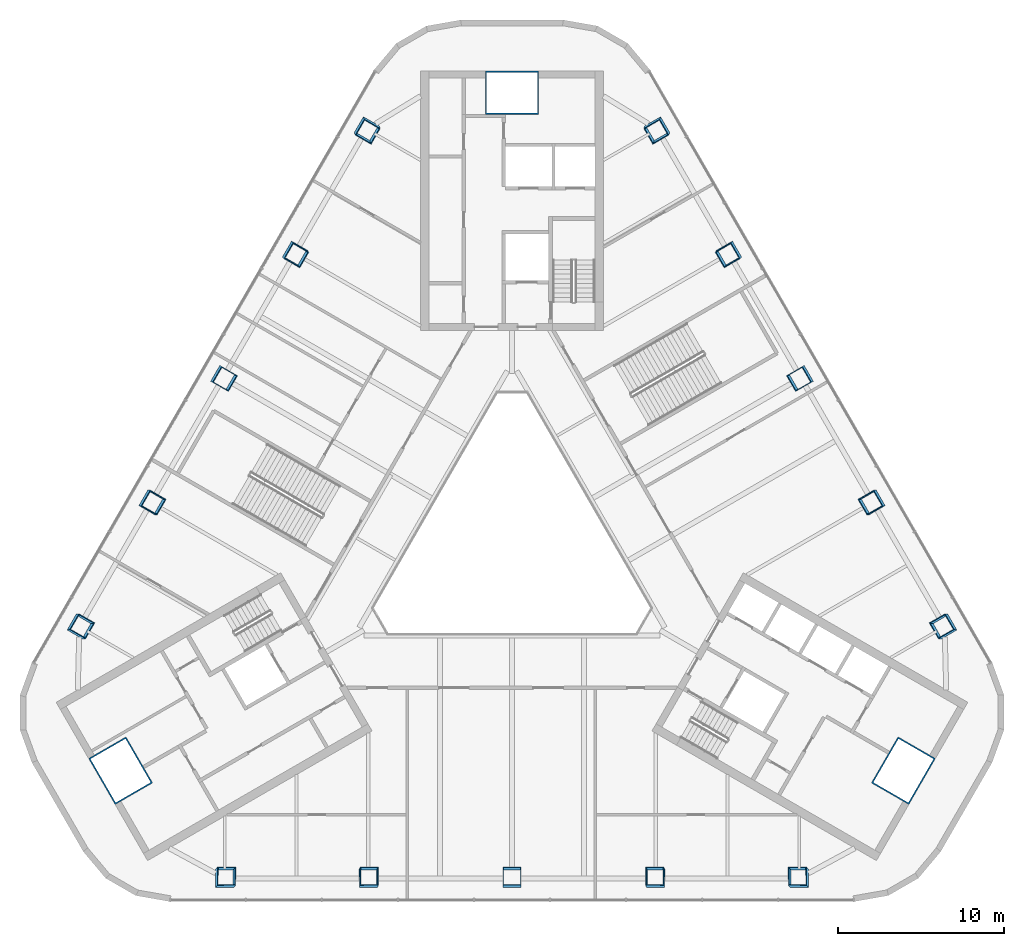
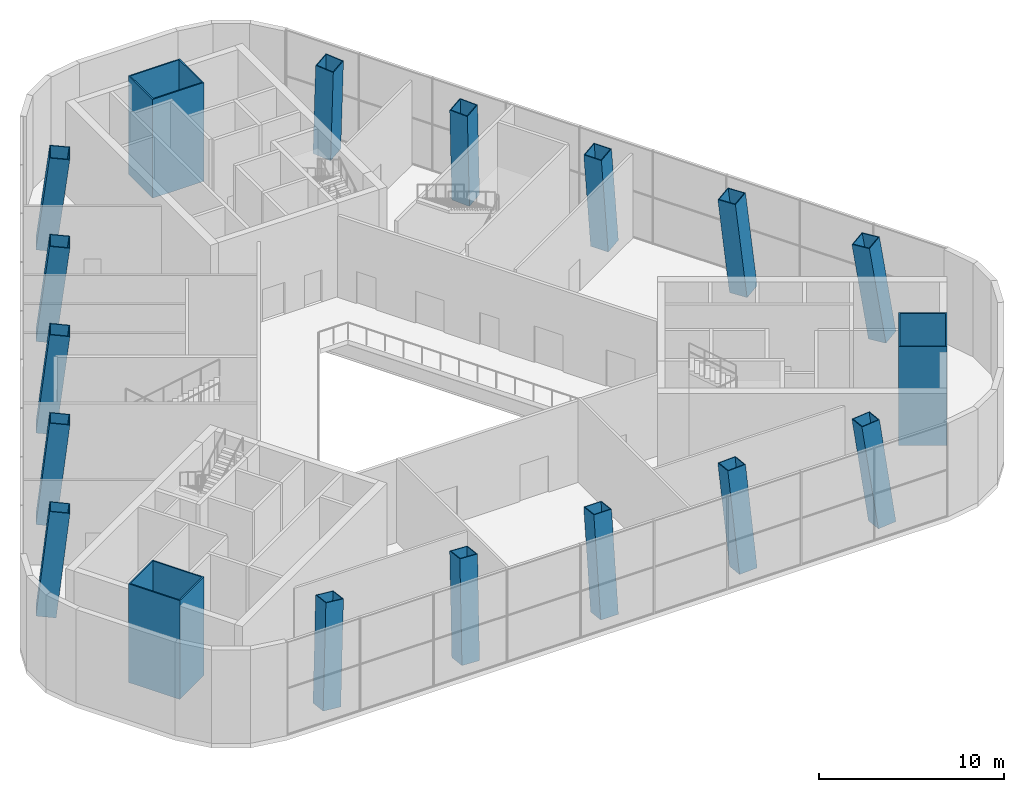
# One storey, part 1 of 17: 18 columns.
"""IFC4 building model written with IfcOpenShell, lengths in metres."""

from ifc_helpers import new_model, si_unit, direction, frame, origin, origin_2d, place, context, subcontext, project, spatial, rectangle, hollow_rectangle, extrude, boolean, halfspace, material, material_profile, profile_set, type_object, element, save


model = new_model("IFC4")

# Units and contexts
model_context = context("Model", 3, precision=1e-05, world=origin(), true_north=direction((0.0, 1.0)))
body_context = subcontext(model_context, "Body", "Model", "MODEL_VIEW")
ifc_project = project(units=[si_unit("LENGTHUNIT", "METRE"), si_unit("AREAUNIT", "SQUARE_METRE"), si_unit("VOLUMEUNIT", "CUBIC_METRE"), si_unit("PLANEANGLEUNIT", "RADIAN"), si_unit("MASSUNIT", "GRAM", prefix="KILO")], contexts=[model_context])

# Site, building, storey
site_placement = place(None, origin())
site = spatial("IfcSite", under=ifc_project, at=site_placement, CompositionType="ELEMENT")
building_placement = place(site_placement, origin())
building = spatial("IfcBuilding", under=site, at=building_placement, Name="Apuvela Tower Hotel", CompositionType="ELEMENT")
storey_placement = place(building_placement, frame((0.0, 0.0, 9.0)))
storey = spatial("IfcBuildingStorey", under=building, at=storey_placement, Name="L01", CompositionType="ELEMENT", Elevation=9.0)

# Columns
ifc_material_1 = material(Name="Steel S460", Category="steel")
ifc_material_profile_1 = material_profile(ifc_material_1, hollow_rectangle(XDim=3.199951171875, YDim=2.60009765625, WallThickness=0.080078125, at=origin_2d()), Name="BOX 3200x2600x80")
ifc_material_2 = material(Name="Concrete C80/95", Category="concrete")
ifc_material_profile_2 = material_profile(ifc_material_2, rectangle(XDim=3.0400390625, YDim=2.43994140625, at=origin_2d()), Name="Concrete C80/95 infill")
ifc_profile_set_1 = profile_set([ifc_material_profile_1, ifc_material_profile_2], Name="Steel S460")
column_type_1 = type_object("IfcColumnType", Name="STR-MC mega column BOX 3200x2600x80", PredefinedType="COLUMN", material=ifc_profile_set_1)
for number, where, z_axis, x_axis, name in (
    (1, (0.0, 27.199951171875, 0.0), (0.0, 0.0, 1.0), (1.0, 0.0, 0.0), "Mega column MC1 N"),
    (2, (-23.555908203125, -13.60009765625, 0.0), (0.0, 0.0, 1.0), (-0.5, 0.866025403784, 0.0), "Mega column MC1 SW"),
    (3, (23.555908203125, -13.60009765625, 0.0), (0.0, 0.0, 1.0), (0.5, 0.866025403784, 0.0), "Mega column MC1 SE"),
):
    element("IfcColumn", number, at=place(storey_placement, frame(where, z_axis=z_axis, x_axis=x_axis)), inside=storey, type_object=column_type_1, Name=name, PredefinedType="COLUMN", context=body_context, shape_type="SweptSolid", body=[
        extrude(hollow_rectangle(XDim=3.199951171875, YDim=2.60009765625, WallThickness=0.080078125, at=origin_2d()), origin(), (0.0, 0.0, 1.0), 6.5),
    ])
ifc_material_profile_3 = material_profile(ifc_material_1, hollow_rectangle(XDim=1.10009765625, YDim=1.10009765625, WallThickness=0.050048828125, at=origin_2d()), Name="BOX 1100x1100x50")
ifc_material_profile_4 = material_profile(ifc_material_2, rectangle(XDim=1.0, YDim=1.0, at=origin_2d()), Name="Concrete C80/95 infill")
ifc_profile_set_2 = profile_set([ifc_material_profile_3, ifc_material_profile_4], Name="Steel S460")
column_type_2 = type_object("IfcColumnType", Name="STR-PC perimeter column BOX 1100x1100x50", PredefinedType="COLUMN", material=ifc_profile_set_2)
column_1_placement = place(storey_placement, frame((-17.28759765625, -20.078369140625, 0.0), z_axis=(0.091482931519, 0.113703399857, 0.989293894705), x_axis=(-0.99579173161, 0.005008593821, 0.091508148518)))
element("IfcColumn", 4, at=column_1_placement, inside=storey, type_object=column_type_2, Name="Perimeter column C1 S1", PredefinedType="COLUMN", context=body_context, shape_type="SweptSolid", body=[
    boolean("DIFFERENCE", boolean("DIFFERENCE", extrude(hollow_rectangle(XDim=1.10009765625, YDim=1.10009765625, WallThickness=0.050048828125, at=origin_2d()), origin(), (0.0, 0.0, 1.0), 6.5703125), halfspace(frame((0.0, 0.0, 0.01904296875), z_axis=(0.0, 0.0, 1.0), x_axis=(1.0, 0.0, 0.0)), True)), halfspace(frame((0.0, 0.0, 6.55224609375), z_axis=(0.0, 0.0, 1.0), x_axis=(1.0, 0.0, 0.0)), False)),
])
column_2_placement = place(storey_placement, frame((-8.643798828125, -20.078369140625, 0.0), z_axis=(0.04588570117, 0.114061937921, 0.9924134102), x_axis=(-0.998942832746, 0.002476202234, 0.045902999109)))
element("IfcColumn", 5, at=column_2_placement, inside=storey, type_object=column_type_2, Name="Perimeter column C1 S2", PredefinedType="COLUMN", context=body_context, shape_type="SweptSolid", body=[
    boolean("DIFFERENCE", boolean("DIFFERENCE", extrude(hollow_rectangle(XDim=1.10009765625, YDim=1.10009765625, WallThickness=0.050048828125, at=origin_2d()), origin(), (0.0, 0.0, 1.0), 6.5498046875), halfspace(frame((0.0, 0.0, 0.0166015625), z_axis=(0.0, 0.0, 1.0), x_axis=(1.0, 0.0, 0.0)), True)), halfspace(frame((0.0, 0.0, 6.533935546875), z_axis=(0.0, 0.0, 1.0), x_axis=(1.0, 0.0, 0.0)), False)),
])
column_3_placement = place(storey_placement, frame((0.0, -20.078369140625, 0.0), z_axis=(0.0, 0.11418220644, 0.993459824921), x_axis=(-1.0, 0.0, 0.0)))
element("IfcColumn", 6, at=column_3_placement, inside=storey, type_object=column_type_2, Name="Perimeter column C1 S3", PredefinedType="COLUMN", context=body_context, shape_type="SweptSolid", body=[
    boolean("DIFFERENCE", boolean("DIFFERENCE", extrude(hollow_rectangle(XDim=1.10009765625, YDim=1.10009765625, WallThickness=0.050048828125, at=origin_2d()), origin(), (0.0, 0.0, 1.0), 6.542724609375), halfspace(frame((0.0, 0.0, 0.015380859375), z_axis=(0.0, 0.0, 1.0), x_axis=(1.0, 0.0, 0.0)), True)), halfspace(frame((0.0, 0.0, 6.528076171875), z_axis=(0.0, 0.0, 1.0), x_axis=(1.0, 0.0, 0.0)), False)),
])
column_4_placement = place(storey_placement, frame((8.643798828125, -20.078369140625, 0.0), z_axis=(-0.04588570117, 0.114061937921, 0.9924134102), x_axis=(0.998942832746, 0.002476202234, 0.045902999109)))
element("IfcColumn", 7, at=column_4_placement, inside=storey, type_object=column_type_2, Name="Perimeter column C1 S4", PredefinedType="COLUMN", context=body_context, shape_type="SweptSolid", body=[
    boolean("DIFFERENCE", boolean("DIFFERENCE", extrude(hollow_rectangle(XDim=1.10009765625, YDim=1.10009765625, WallThickness=0.050048828125, at=origin_2d()), origin(), (0.0, 0.0, 1.0), 6.5498046875), halfspace(frame((0.0, 0.0, 0.0166015625), z_axis=(0.0, 0.0, 1.0), x_axis=(1.0, 0.0, 0.0)), True)), halfspace(frame((0.0, 0.0, 6.533935546875), z_axis=(0.0, 0.0, 1.0), x_axis=(1.0, 0.0, 0.0)), False)),
])
for number, where, z_axis, x_axis, name in (
    (8, (17.28759765625, -20.078369140625, 0.0), (-0.091482931519, 0.113703399857, 0.989293894705), (0.99579173161, 0.005008593821, 0.091508148518), "Perimeter column C1 S5"),
    (9, (26.0322265625, -4.932373046875, 0.0), (-0.144210024077, 0.022406246977, 0.989293398872), (0.493357756794, -0.864999630049, 0.091508271899), "Perimeter column C1 NE1"),
):
    element("IfcColumn", number, at=place(storey_placement, frame(where, z_axis=z_axis, x_axis=x_axis)), inside=storey, type_object=column_type_2, Name=name, PredefinedType="COLUMN", context=body_context, shape_type="SweptSolid", body=[
        boolean("DIFFERENCE", boolean("DIFFERENCE", extrude(hollow_rectangle(XDim=1.10009765625, YDim=1.10009765625, WallThickness=0.050048828125, at=origin_2d()), origin(), (0.0, 0.0, 1.0), 6.5703125), halfspace(frame((0.0, 0.0, 0.01904296875), z_axis=(0.0, 0.0, 1.0), x_axis=(1.0, 0.0, 0.0)), True)), halfspace(frame((0.0, 0.0, 6.55224609375), z_axis=(0.0, 0.0, 1.0), x_axis=(1.0, 0.0, 0.0)), False)),
    ])
column_5_placement = place(storey_placement, frame((21.710205078125, 2.553466796875, 0.0), z_axis=(-0.12170363311, -0.017295707738, 0.992415781909), x_axis=(0.497292845598, -0.86636846087, 0.045885899002)))
element("IfcColumn", 10, at=column_5_placement, inside=storey, type_object=column_type_2, Name="Perimeter column C1 NE2", PredefinedType="COLUMN", context=body_context, shape_type="SweptSolid", body=[
    boolean("DIFFERENCE", boolean("DIFFERENCE", extrude(hollow_rectangle(XDim=1.10009765625, YDim=1.10009765625, WallThickness=0.050048828125, at=origin_2d()), origin(), (0.0, 0.0, 1.0), 6.549560546875), halfspace(frame((0.0, 0.0, 0.0166015625), z_axis=(0.0, 0.0, 1.0), x_axis=(1.0, 0.0, 0.0)), True)), halfspace(frame((0.0, 0.0, 6.533935546875), z_axis=(0.0, 0.0, 1.0), x_axis=(1.0, 0.0, 0.0)), False)),
])
column_6_placement = place(storey_placement, frame((17.38818359375, 10.039306640625, 0.0), z_axis=(-0.098846347324, -0.057091321784, 0.993463628221), x_axis=(-0.500071807692, 0.865983941567, 9.961389e-06)))
element("IfcColumn", 11, at=column_6_placement, inside=storey, type_object=column_type_2, Name="Perimeter column C1 NE3", PredefinedType="COLUMN", context=body_context, shape_type="SweptSolid", body=[
    boolean("DIFFERENCE", boolean("DIFFERENCE", extrude(hollow_rectangle(XDim=1.10009765625, YDim=1.10009765625, WallThickness=0.050048828125, at=origin_2d()), origin(), (0.0, 0.0, 1.0), 6.542724609375), halfspace(frame((0.0, 0.0, 0.015380859375), z_axis=(0.0, 0.0, 1.0), x_axis=(1.0, 0.0, 0.0)), True)), halfspace(frame((0.0, 0.0, 6.528076171875), z_axis=(0.0, 0.0, 1.0), x_axis=(1.0, 0.0, 0.0)), False)),
])
column_7_placement = place(storey_placement, frame((13.06640625, 17.52490234375, 0.0), z_axis=(-0.075817777457, -0.096766445564, 0.992415195185), x_axis=(-0.501683757676, 0.86383242032, 0.045901600061)))
element("IfcColumn", 12, at=column_7_placement, inside=storey, type_object=column_type_2, Name="Perimeter column C1 NE4", PredefinedType="COLUMN", context=body_context, shape_type="SweptSolid", body=[
    boolean("DIFFERENCE", boolean("DIFFERENCE", extrude(hollow_rectangle(XDim=1.10009765625, YDim=1.10009765625, WallThickness=0.050048828125, at=origin_2d()), origin(), (0.0, 0.0, 1.0), 6.549560546875), halfspace(frame((0.0, 0.0, 0.0166015625), z_axis=(0.0, 0.0, 1.0), x_axis=(1.0, 0.0, 0.0)), True)), halfspace(frame((0.0, 0.0, 6.533935546875), z_axis=(0.0, 0.0, 1.0), x_axis=(1.0, 0.0, 0.0)), False)),
])
for number, where, z_axis, x_axis, name in (
    (13, (8.744384765625, 25.0107421875, 0.0), (-0.052690155127, -0.136072882986, 0.989296678489), (-0.502492693094, 0.859727264822, 0.091488379093), "Perimeter column C1 NE5"),
    (14, (-8.744384765625, 25.0107421875, 0.0), (0.052690155127, -0.136072882986, 0.989296678489), (0.502492693094, 0.859727264822, 0.091488379093), "Perimeter column C1 NW1"),
):
    element("IfcColumn", number, at=place(storey_placement, frame(where, z_axis=z_axis, x_axis=x_axis)), inside=storey, type_object=column_type_2, Name=name, PredefinedType="COLUMN", context=body_context, shape_type="SweptSolid", body=[
        boolean("DIFFERENCE", boolean("DIFFERENCE", extrude(hollow_rectangle(XDim=1.10009765625, YDim=1.10009765625, WallThickness=0.050048828125, at=origin_2d()), origin(), (0.0, 0.0, 1.0), 6.5703125), halfspace(frame((0.0, 0.0, 0.01904296875), z_axis=(0.0, 0.0, 1.0), x_axis=(1.0, 0.0, 0.0)), True)), halfspace(frame((0.0, 0.0, 6.55224609375), z_axis=(0.0, 0.0, 1.0), x_axis=(1.0, 0.0, 0.0)), False)),
    ])
column_8_placement = place(storey_placement, frame((-13.06640625, 17.52490234375, 0.0), z_axis=(0.075817777457, -0.096766445564, 0.992415195185), x_axis=(0.501683757676, 0.86383242032, 0.045901600061)))
element("IfcColumn", 15, at=column_8_placement, inside=storey, type_object=column_type_2, Name="Perimeter column C1 NW2", PredefinedType="COLUMN", context=body_context, shape_type="SweptSolid", body=[
    boolean("DIFFERENCE", boolean("DIFFERENCE", extrude(hollow_rectangle(XDim=1.10009765625, YDim=1.10009765625, WallThickness=0.050048828125, at=origin_2d()), origin(), (0.0, 0.0, 1.0), 6.549560546875), halfspace(frame((0.0, 0.0, 0.0166015625), z_axis=(0.0, 0.0, 1.0), x_axis=(1.0, 0.0, 0.0)), True)), halfspace(frame((0.0, 0.0, 6.533935546875), z_axis=(0.0, 0.0, 1.0), x_axis=(1.0, 0.0, 0.0)), False)),
])
column_9_placement = place(storey_placement, frame((-17.38818359375, 10.039306640625, 0.0), z_axis=(0.098846347324, -0.057091321784, 0.993463628221), x_axis=(0.500071807692, 0.865983941567, 9.961389e-06)))
element("IfcColumn", 16, at=column_9_placement, inside=storey, type_object=column_type_2, Name="Perimeter column C1 NW3", PredefinedType="COLUMN", context=body_context, shape_type="SweptSolid", body=[
    boolean("DIFFERENCE", boolean("DIFFERENCE", extrude(hollow_rectangle(XDim=1.10009765625, YDim=1.10009765625, WallThickness=0.050048828125, at=origin_2d()), origin(), (0.0, 0.0, 1.0), 6.542724609375), halfspace(frame((0.0, 0.0, 0.015380859375), z_axis=(0.0, 0.0, 1.0), x_axis=(1.0, 0.0, 0.0)), True)), halfspace(frame((0.0, 0.0, 6.528076171875), z_axis=(0.0, 0.0, 1.0), x_axis=(1.0, 0.0, 0.0)), False)),
])
column_10_placement = place(storey_placement, frame((-21.710205078125, 2.553466796875, 0.0), z_axis=(0.12170363311, -0.017295707738, 0.992415781909), x_axis=(-0.497292845598, -0.86636846087, 0.045885899002)))
element("IfcColumn", 17, at=column_10_placement, inside=storey, type_object=column_type_2, Name="Perimeter column C1 NW4", PredefinedType="COLUMN", context=body_context, shape_type="SweptSolid", body=[
    boolean("DIFFERENCE", boolean("DIFFERENCE", extrude(hollow_rectangle(XDim=1.10009765625, YDim=1.10009765625, WallThickness=0.050048828125, at=origin_2d()), origin(), (0.0, 0.0, 1.0), 6.549560546875), halfspace(frame((0.0, 0.0, 0.0166015625), z_axis=(0.0, 0.0, 1.0), x_axis=(1.0, 0.0, 0.0)), True)), halfspace(frame((0.0, 0.0, 6.533935546875), z_axis=(0.0, 0.0, 1.0), x_axis=(1.0, 0.0, 0.0)), False)),
])
column_11_placement = place(storey_placement, frame((-26.0322265625, -4.932373046875, 0.0), z_axis=(0.144210024077, 0.022406246977, 0.989293398872), x_axis=(-0.493357756794, -0.864999630049, 0.091508271899)))
element("IfcColumn", 18, at=column_11_placement, inside=storey, type_object=column_type_2, Name="Perimeter column C1 NW5", PredefinedType="COLUMN", context=body_context, shape_type="SweptSolid", body=[
    boolean("DIFFERENCE", boolean("DIFFERENCE", extrude(hollow_rectangle(XDim=1.10009765625, YDim=1.10009765625, WallThickness=0.050048828125, at=origin_2d()), origin(), (0.0, 0.0, 1.0), 6.5703125), halfspace(frame((0.0, 0.0, 0.01904296875), z_axis=(0.0, 0.0, 1.0), x_axis=(1.0, 0.0, 0.0)), True)), halfspace(frame((0.0, 0.0, 6.55224609375), z_axis=(0.0, 0.0, 1.0), x_axis=(1.0, 0.0, 0.0)), False)),
])

save(model, "model.ifc")
